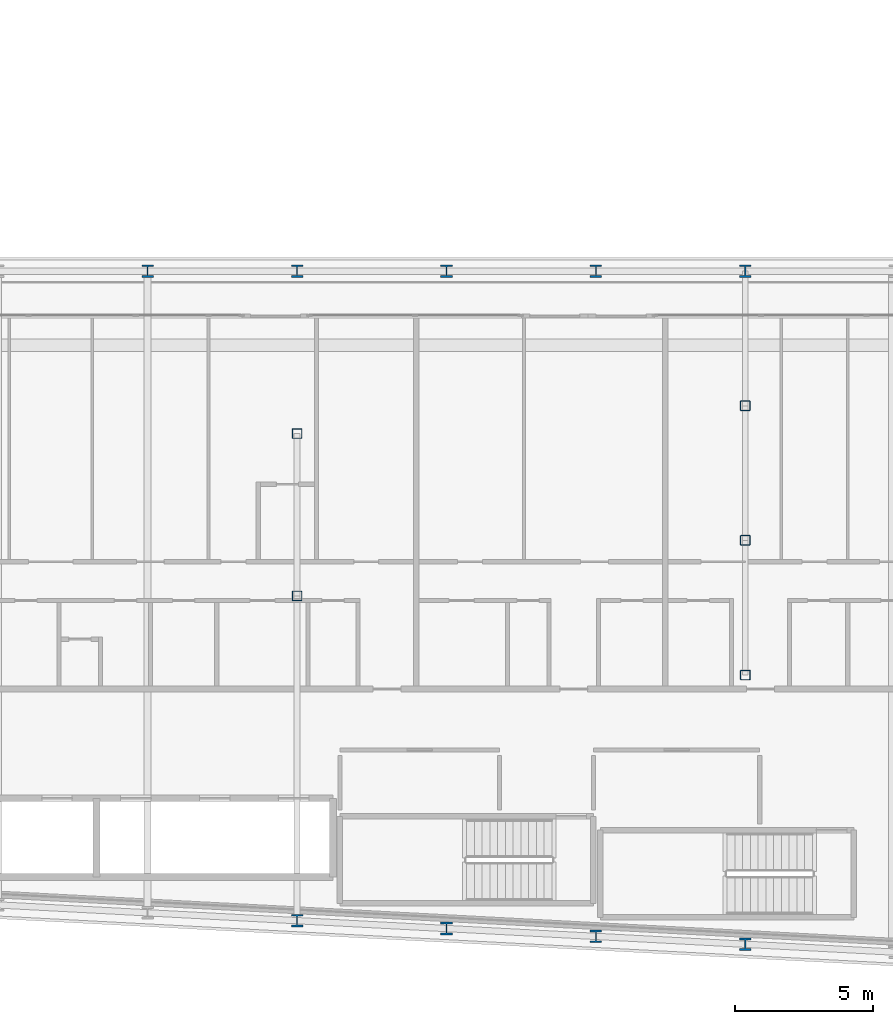
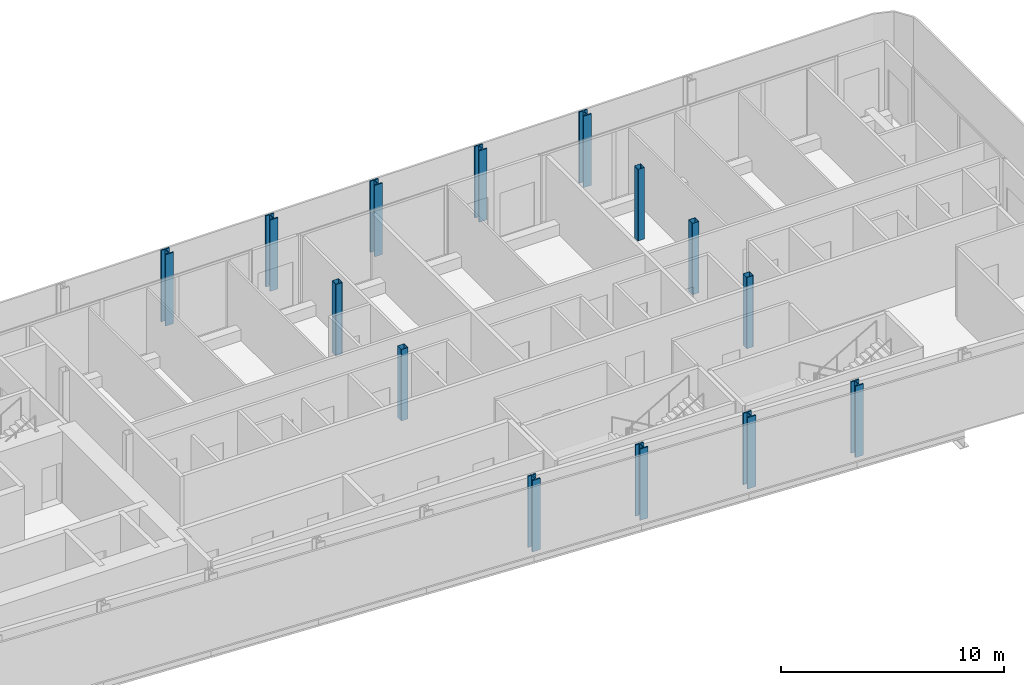
# One storey, part 2 of 28: 14 columns.
"""IFC4 building model written with IfcOpenShell, lengths in metres."""

from ifc_helpers import new_model, si_unit, direction, frame, origin, origin_2d, place, context, subcontext, project, spatial, hollow_rectangle, i_section, extrude, material, material_profile, profile_set, type_object, element, save


model = new_model("IFC4")

# Units and contexts
model_context = context("Model", 3, precision=1e-05, world=origin(), true_north=direction((0.0, 1.0)))
body_context = subcontext(model_context, "Body", "Model", "MODEL_VIEW")
ifc_project = project(units=[si_unit("LENGTHUNIT", "METRE"), si_unit("AREAUNIT", "SQUARE_METRE"), si_unit("VOLUMEUNIT", "CUBIC_METRE"), si_unit("PLANEANGLEUNIT", "RADIAN"), si_unit("MASSUNIT", "GRAM", prefix="KILO")], contexts=[model_context])

# Site, building, storey
site_placement = place(None, origin())
site = spatial("IfcSite", under=ifc_project, at=site_placement, CompositionType="ELEMENT")
building_placement = place(site_placement, origin())
building = spatial("IfcBuilding", under=site, at=building_placement, Name="Kheshtan School and Residences Tower", CompositionType="ELEMENT")
storey_placement = place(building_placement, frame((0.0, 0.0, 140.89990234375)))
storey = spatial("IfcBuildingStorey", under=building, at=storey_placement, Name="L33", CompositionType="ELEMENT", Elevation=140.89990234375)

# Columns
ifc_material_1 = material(Name="Steel ASTM A992 Grade 50", Category="steel")
ifc_material_profile_1 = material_profile(ifc_material_1, i_section(OverallWidth=0.41796875, OverallDepth=0.455078125, WebThickness=0.042236328125, FlangeThickness=0.067626953125, FilletRadius=0.013671875, at=origin_2d()), Name="W360x551")
ifc_profile_set_1 = profile_set([ifc_material_profile_1], Name="Steel ASTM A992 Grade 50")
column_type_1 = type_object("IfcColumnType", Name="Column C2 W360x551 ASTM A992 Grade 50", PredefinedType="COLUMN", material=ifc_profile_set_1)
for number, where, z_axis, x_axis, name in (
    (1, (85.39990234375, 21.27392578125, 0.0), (0.0, 0.0, 1.0), (1.0, 0.0, 0.0), "Column C008"),
    (2, (80.0, 21.55810546875, 0.0), (0.0, 0.0, 1.0), (1.0, 0.0, 0.0), "Column C012"),
    (3, (74.60009765625, 21.843017578125, 0.0), (0.0, 0.0, 1.0), (1.0, 0.0, 0.0), "Column C013"),
    (4, (69.199951171875, 22.126953125, 0.0), (0.0, 0.0, 1.0), (1.0, 0.0, 0.0), "Column C014"),
    (5, (63.800048828125, 45.60009765625, 0.0), (0.0, 0.0, 1.0), (1.0, 0.0, 0.0), "Column C063"),
    (6, (69.199951171875, 45.60009765625, 0.0), (0.0, 0.0, 1.0), (1.0, 0.0, 0.0), "Column C064"),
    (7, (74.60009765625, 45.60009765625, 0.0), (0.0, 0.0, 1.0), (1.0, 0.0, 0.0), "Column C065"),
    (8, (80.0, 45.60009765625, 0.0), (0.0, 0.0, 1.0), (1.0, 0.0, 0.0), "Column C066"),
    (9, (85.39990234375, 45.60009765625, 0.0), (0.0, 0.0, 1.0), (1.0, 0.0, 0.0), "Column C067"),
):
    element("IfcColumn", number, at=place(storey_placement, frame(where, z_axis=z_axis, x_axis=x_axis)), inside=storey, type_object=column_type_1, Name=name, PredefinedType="COLUMN", context=body_context, shape_type="SweptSolid", body=[
        extrude(i_section(OverallWidth=0.41796875, OverallDepth=0.455078125, WebThickness=0.042236328125, FlangeThickness=0.067626953125, FilletRadius=0.013671875, at=origin_2d()), origin(), (0.0, 0.0, 1.0), 3.900146484375),
    ])
ifc_material_2 = material(Name="Steel ASTM A500 Grade C", Category="steel")
ifc_material_profile_2 = material_profile(ifc_material_2, hollow_rectangle(XDim=0.35595703125, YDim=0.35595703125, WallThickness=0.015869140625, InnerFilletRadius=0.015869140625, OuterFilletRadius=0.03173828125, at=origin_2d()), Name="HSS 356x356x15.9")
ifc_profile_set_2 = profile_set([ifc_material_profile_2], Name="Steel ASTM A500 Grade C")
column_type_2 = type_object("IfcColumnType", Name="Column IC1 HSS 356x356x15.9 ASTM A500 Grade C", PredefinedType="COLUMN", material=ifc_profile_set_2)
for number, where, z_axis, x_axis, name in (
    (10, (85.39990234375, 31.0048828125, 0.0), (0.0, 0.0, 1.0), (1.0, 0.0, 0.0), "Column C049"),
    (11, (69.199951171875, 33.863037109375, 0.0), (0.0, 0.0, 1.0), (1.0, 0.0, 0.0), "Column C050"),
    (12, (85.39990234375, 35.8701171875, 0.0), (0.0, 0.0, 1.0), (1.0, 0.0, 0.0), "Column C053"),
    (13, (69.199951171875, 39.73193359375, 0.0), (0.0, 0.0, 1.0), (1.0, 0.0, 0.0), "Column C054"),
    (14, (85.39990234375, 40.735107421875, 0.0), (0.0, 0.0, 1.0), (1.0, 0.0, 0.0), "Column C057"),
):
    element("IfcColumn", number, at=place(storey_placement, frame(where, z_axis=z_axis, x_axis=x_axis)), inside=storey, type_object=column_type_2, Name=name, PredefinedType="COLUMN", context=body_context, shape_type="SweptSolid", body=[
        extrude(hollow_rectangle(XDim=0.35595703125, YDim=0.35595703125, WallThickness=0.015869140625, InnerFilletRadius=0.015869140625, OuterFilletRadius=0.03173828125, at=origin_2d()), origin(), (0.0, 0.0, 1.0), 3.900146484375),
    ])

save(model, "model.ifc")
